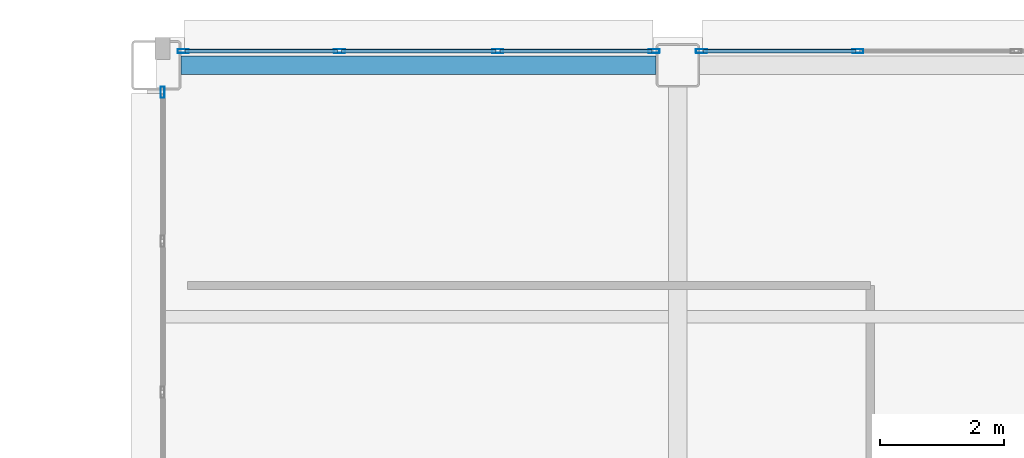
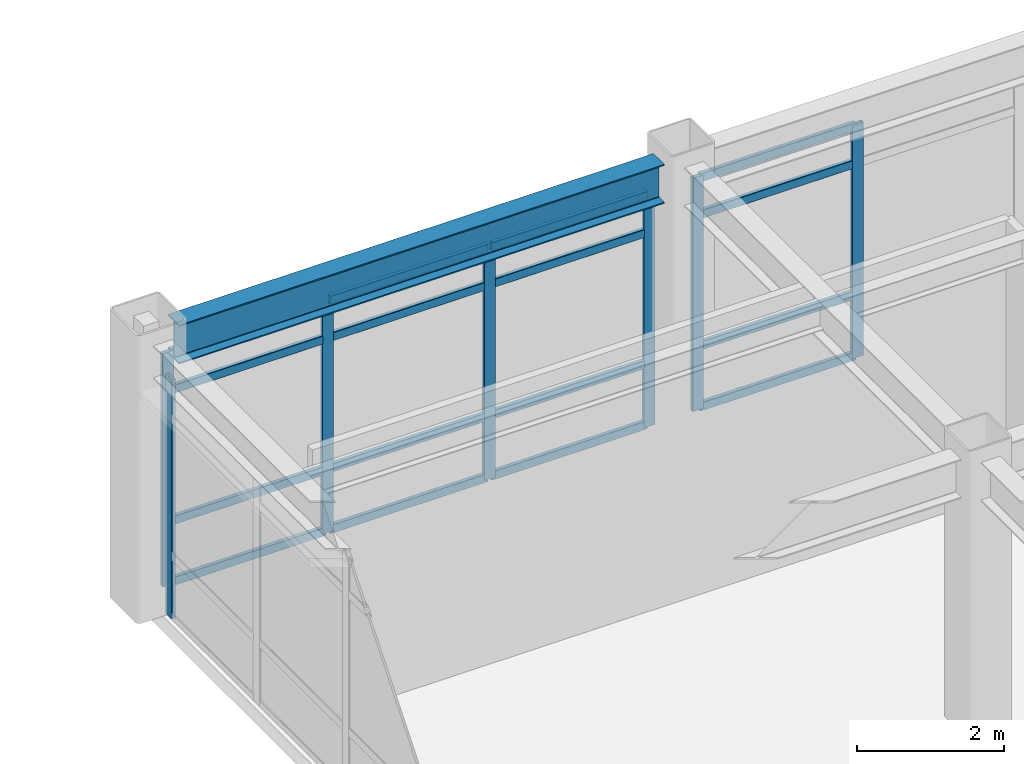
# One storey, part 110 of 154: 23 members, 1 beam, 3 elements without a shape of their own.
"""IFC4 building model written with IfcOpenShell, lengths in metres."""

from ifc_helpers import new_model, si_unit, direction, frame, origin, origin_2d, place, context, subcontext, project, spatial, hollow_rectangle, i_section, extrude, material, layer, layer_set, material_profile, profile_set, type_object, element, aggregate, save


model = new_model("IFC4")

# Units and contexts
model_context = context("Model", 3, precision=1e-05, world=origin(), true_north=direction((0.0, 1.0)))
body_context = subcontext(model_context, "Body", "Model", "MODEL_VIEW")
ifc_project = project(units=[si_unit("LENGTHUNIT", "METRE"), si_unit("AREAUNIT", "SQUARE_METRE"), si_unit("VOLUMEUNIT", "CUBIC_METRE"), si_unit("PLANEANGLEUNIT", "RADIAN"), si_unit("MASSUNIT", "GRAM", prefix="KILO")], contexts=[model_context])

# Site, building, storey
site_placement = place(None, origin())
site = spatial("IfcSite", under=ifc_project, at=site_placement, CompositionType="ELEMENT")
building_placement = place(site_placement, origin())
building = spatial("IfcBuilding", under=site, at=building_placement, Name="Kazehara Bluff Congress Hotel", CompositionType="ELEMENT")
storey_placement = place(building_placement, frame((0.0, 0.0, 10.199951171875)))
storey = spatial("IfcBuildingStorey", under=building, at=storey_placement, Name="L02", CompositionType="ELEMENT", Elevation=10.199951171875)

# Curtain wall, members
ifc_material_1 = material(Name="Anodised aluminium", Category="aluminium")
ifc_layer_1 = layer(ifc_material_1, 0.159912109375)
ifc_layer_set_1 = layer_set([ifc_layer_1], Name="Anodised aluminium")
curtain_wall_type_1 = type_object("IfcCurtainWallType", Name="TP-CW-22", PredefinedType="NOTDEFINED", material=ifc_layer_set_1)
curtain_wall_1_placement = place(storey_placement, origin())
curtain_wall_1 = element("IfcCurtainWall", 1, at=curtain_wall_1_placement, inside=storey, type_object=curtain_wall_type_1, Name="L02 curtain wall CW-22 CW-ENC-V5-L02-14793-11378", PredefinedType="NOTDEFINED")
ifc_material_2 = material(Name="Anodised aluminium", Category="aluminium")
ifc_material_profile_1 = material_profile(ifc_material_2, hollow_rectangle(XDim=0.06494140625, YDim=0.179931640625, WallThickness=0.00390625, InnerFilletRadius=0.00390625, OuterFilletRadius=0.008056640625, at=origin_2d()))
ifc_profile_set_1 = profile_set([ifc_material_profile_1], Name="Anodised aluminium")
member_type_1 = type_object("IfcMemberType", Name="TP-CWM-02", PredefinedType="MULLION", material=ifc_profile_set_1)
member_1_placement = place(storey_placement, frame((144.132568359375, 113.780029296875, 0.0), z_axis=(0.0, 0.0, 1.0), x_axis=(0.0, 1.0, 0.0)))
member_1 = element("IfcMember", 2, at=member_1_placement, type_object=member_type_1, Name="CW-22 mullion 1", PredefinedType="MULLION", context=body_context, shape_type="SweptSolid", body=[
    extrude(hollow_rectangle(XDim=0.06494140625, YDim=0.179931640625, WallThickness=0.00390625, InnerFilletRadius=0.00390625, OuterFilletRadius=0.008056640625, at=origin_2d()), origin(), (0.0, 0.0, 1.0), 3.885009765625),
])
member_2_placement = place(storey_placement, frame((146.64990234375, 113.780029296875, 0.0), z_axis=(0.0, 0.0, 1.0), x_axis=(0.0, 1.0, 0.0)))
member_2 = element("IfcMember", 3, at=member_2_placement, type_object=member_type_1, Name="CW-22 mullion 2", PredefinedType="MULLION", context=body_context, shape_type="SweptSolid", body=[
    extrude(hollow_rectangle(XDim=0.06494140625, YDim=0.179931640625, WallThickness=0.00390625, InnerFilletRadius=0.00390625, OuterFilletRadius=0.008056640625, at=origin_2d()), origin(), (0.0, 0.0, 1.0), 3.885009765625),
])
member_3_placement = place(storey_placement, frame((149.199951171875, 113.780029296875, 0.0), z_axis=(0.0, 0.0, 1.0), x_axis=(0.0, 1.0, 0.0)))
member_3 = element("IfcMember", 4, at=member_3_placement, type_object=member_type_1, Name="CW-22 mullion 3", PredefinedType="MULLION", context=body_context, shape_type="SweptSolid", body=[
    extrude(hollow_rectangle(XDim=0.06494140625, YDim=0.179931640625, WallThickness=0.00390625, InnerFilletRadius=0.00390625, OuterFilletRadius=0.008056640625, at=origin_2d()), origin(), (0.0, 0.0, 1.0), 3.885009765625),
])
member_4_placement = place(storey_placement, frame((151.717529296875, 113.780029296875, 0.0), z_axis=(0.0, 0.0, 1.0), x_axis=(0.0, 1.0, 0.0)))
member_4 = element("IfcMember", 5, at=member_4_placement, type_object=member_type_1, Name="CW-22 mullion 4", PredefinedType="MULLION", context=body_context, shape_type="SweptSolid", body=[
    extrude(hollow_rectangle(XDim=0.06494140625, YDim=0.179931640625, WallThickness=0.00390625, InnerFilletRadius=0.00390625, OuterFilletRadius=0.008056640625, at=origin_2d()), origin(), (0.0, 0.0, 1.0), 3.885009765625),
])

curtain_wall_2_placement = place(storey_placement, origin())
curtain_wall_2 = element("IfcCurtainWall", 6, at=curtain_wall_2_placement, inside=storey, type_object=curtain_wall_type_1, Name="L02 curtain wall CW-22 CW-ENC-V5-L02-15627-11378", PredefinedType="NOTDEFINED")
member_5_placement = place(storey_placement, frame((152.482421875, 113.780029296875, 0.0), z_axis=(0.0, 0.0, 1.0), x_axis=(0.0, 1.0, 0.0)))
member_5 = element("IfcMember", 7, at=member_5_placement, type_object=member_type_1, Name="CW-22 mullion 1", PredefinedType="MULLION", context=body_context, shape_type="SweptSolid", body=[
    extrude(hollow_rectangle(XDim=0.06494140625, YDim=0.179931640625, WallThickness=0.00390625, InnerFilletRadius=0.00390625, OuterFilletRadius=0.008056640625, at=origin_2d()), origin(), (0.0, 0.0, 1.0), 3.885009765625),
])
member_6_placement = place(storey_placement, frame((155.0, 113.780029296875, 0.0), z_axis=(0.0, 0.0, 1.0), x_axis=(0.0, 1.0, 0.0)))
member_6 = element("IfcMember", 8, at=member_6_placement, type_object=member_type_1, Name="CW-22 mullion 2", PredefinedType="MULLION", context=body_context, shape_type="SweptSolid", body=[
    extrude(hollow_rectangle(XDim=0.06494140625, YDim=0.179931640625, WallThickness=0.00390625, InnerFilletRadius=0.00390625, OuterFilletRadius=0.008056640625, at=origin_2d()), origin(), (0.0, 0.0, 1.0), 3.885009765625),
])

# Curtain wall, member
ifc_material_3 = material(Name="Anodised aluminium", Category="aluminium")
ifc_layer_2 = layer(ifc_material_3, 0.159912109375)
ifc_layer_set_2 = layer_set([ifc_layer_2], Name="Anodised aluminium")
curtain_wall_type_2 = type_object("IfcCurtainWallType", Name="TP-CW-124", PredefinedType="NOTDEFINED", material=ifc_layer_set_2)
curtain_wall_3_placement = place(storey_placement, origin())
curtain_wall_3 = element("IfcCurtainWall", 9, at=curtain_wall_3_placement, inside=storey, type_object=curtain_wall_type_2, Name="L02 curtain wall CW-124 CW-ENC-V5-L02-14380-10950", PredefinedType="NOTDEFINED")
member_7_placement = place(storey_placement, frame((143.800048828125, 113.117431640625, 0.0), z_axis=(0.0, 0.0, 1.0), x_axis=(-1.0, 0.0, 0.0)))
member_7 = element("IfcMember", 10, at=member_7_placement, type_object=member_type_1, Name="CW-124 mullion 4", PredefinedType="MULLION", context=body_context, shape_type="SweptSolid", body=[
    extrude(hollow_rectangle(XDim=0.06494140625, YDim=0.179931640625, WallThickness=0.00390625, InnerFilletRadius=0.00390625, OuterFilletRadius=0.008056640625, at=origin_2d()), origin(), (0.0, 0.0, 1.0), 3.985107421875),
])
aggregate(curtain_wall_3, [member_7])

# Member
ifc_material_4 = material(Name="Anodised aluminium", Category="aluminium")
ifc_material_profile_2 = material_profile(ifc_material_4, hollow_rectangle(XDim=0.06494140625, YDim=0.139892578125, WallThickness=0.00390625, InnerFilletRadius=0.00390625, OuterFilletRadius=0.008056640625, at=origin_2d()))
ifc_profile_set_2 = profile_set([ifc_material_profile_2], Name="Anodised aluminium")
member_type_2 = type_object("IfcMemberType", Name="TP-CWT-02", PredefinedType="USERDEFINED", material=ifc_profile_set_2)
member_8_placement = place(storey_placement, frame((144.1650390625, 113.780029296875, 0.032470703125), z_axis=(1.0, 0.0, 0.0), x_axis=(0.0, 1.0, 0.0)))
member_8 = element("IfcMember", 11, at=member_8_placement, type_object=member_type_2, Name="CW-22 transom 1.1", ObjectType="TRANSOM", PredefinedType="USERDEFINED", context=body_context, shape_type="SweptSolid", body=[
    extrude(hollow_rectangle(XDim=0.06494140625, YDim=0.139892578125, WallThickness=0.00390625, InnerFilletRadius=0.00390625, OuterFilletRadius=0.008056640625, at=origin_2d()), origin(), (0.0, 0.0, 1.0), 2.452392578125),
])

member_9_placement = place(storey_placement, frame((144.1650390625, 113.780029296875, 1.050048828125), z_axis=(1.0, 0.0, 0.0), x_axis=(0.0, 1.0, 0.0)))
member_9 = element("IfcMember", 12, at=member_9_placement, type_object=member_type_2, Name="CW-22 transom 1.2", ObjectType="TRANSOM", PredefinedType="USERDEFINED", context=body_context, shape_type="SweptSolid", body=[
    extrude(hollow_rectangle(XDim=0.06494140625, YDim=0.139892578125, WallThickness=0.00390625, InnerFilletRadius=0.00390625, OuterFilletRadius=0.008056640625, at=origin_2d()), origin(), (0.0, 0.0, 1.0), 2.452392578125),
])

member_10_placement = place(storey_placement, frame((144.1650390625, 113.780029296875, 3.235107421875), z_axis=(1.0, 0.0, 0.0), x_axis=(0.0, 1.0, 0.0)))
member_10 = element("IfcMember", 13, at=member_10_placement, type_object=member_type_2, Name="CW-22 transom 1.3", ObjectType="TRANSOM", PredefinedType="USERDEFINED", context=body_context, shape_type="SweptSolid", body=[
    extrude(hollow_rectangle(XDim=0.06494140625, YDim=0.139892578125, WallThickness=0.00390625, InnerFilletRadius=0.00390625, OuterFilletRadius=0.008056640625, at=origin_2d()), origin(), (0.0, 0.0, 1.0), 2.452392578125),
])

member_11_placement = place(storey_placement, frame((144.1650390625, 113.780029296875, 3.8525390625), z_axis=(1.0, 0.0, 0.0), x_axis=(0.0, 1.0, 0.0)))
member_11 = element("IfcMember", 14, at=member_11_placement, type_object=member_type_2, Name="CW-22 transom 1.4", ObjectType="TRANSOM", PredefinedType="USERDEFINED", context=body_context, shape_type="SweptSolid", body=[
    extrude(hollow_rectangle(XDim=0.06494140625, YDim=0.139892578125, WallThickness=0.00390625, InnerFilletRadius=0.00390625, OuterFilletRadius=0.008056640625, at=origin_2d()), origin(), (0.0, 0.0, 1.0), 2.452392578125),
])

member_12_placement = place(storey_placement, frame((146.6826171875, 113.780029296875, 0.032470703125), z_axis=(1.0, 0.0, 0.0), x_axis=(0.0, 1.0, 0.0)))
member_12 = element("IfcMember", 15, at=member_12_placement, type_object=member_type_2, Name="CW-22 transom 2.1", ObjectType="TRANSOM", PredefinedType="USERDEFINED", context=body_context, shape_type="SweptSolid", body=[
    extrude(hollow_rectangle(XDim=0.06494140625, YDim=0.139892578125, WallThickness=0.00390625, InnerFilletRadius=0.00390625, OuterFilletRadius=0.008056640625, at=origin_2d()), origin(), (0.0, 0.0, 1.0), 2.48486328125),
])

member_13_placement = place(storey_placement, frame((146.6826171875, 113.780029296875, 1.050048828125), z_axis=(1.0, 0.0, 0.0), x_axis=(0.0, 1.0, 0.0)))
member_13 = element("IfcMember", 16, at=member_13_placement, type_object=member_type_2, Name="CW-22 transom 2.2", ObjectType="TRANSOM", PredefinedType="USERDEFINED", context=body_context, shape_type="SweptSolid", body=[
    extrude(hollow_rectangle(XDim=0.06494140625, YDim=0.139892578125, WallThickness=0.00390625, InnerFilletRadius=0.00390625, OuterFilletRadius=0.008056640625, at=origin_2d()), origin(), (0.0, 0.0, 1.0), 2.48486328125),
])

member_14_placement = place(storey_placement, frame((146.6826171875, 113.780029296875, 3.235107421875), z_axis=(1.0, 0.0, 0.0), x_axis=(0.0, 1.0, 0.0)))
member_14 = element("IfcMember", 17, at=member_14_placement, type_object=member_type_2, Name="CW-22 transom 2.3", ObjectType="TRANSOM", PredefinedType="USERDEFINED", context=body_context, shape_type="SweptSolid", body=[
    extrude(hollow_rectangle(XDim=0.06494140625, YDim=0.139892578125, WallThickness=0.00390625, InnerFilletRadius=0.00390625, OuterFilletRadius=0.008056640625, at=origin_2d()), origin(), (0.0, 0.0, 1.0), 2.48486328125),
])

member_15_placement = place(storey_placement, frame((146.6826171875, 113.780029296875, 3.8525390625), z_axis=(1.0, 0.0, 0.0), x_axis=(0.0, 1.0, 0.0)))
member_15 = element("IfcMember", 18, at=member_15_placement, type_object=member_type_2, Name="CW-22 transom 2.4", ObjectType="TRANSOM", PredefinedType="USERDEFINED", context=body_context, shape_type="SweptSolid", body=[
    extrude(hollow_rectangle(XDim=0.06494140625, YDim=0.139892578125, WallThickness=0.00390625, InnerFilletRadius=0.00390625, OuterFilletRadius=0.008056640625, at=origin_2d()), origin(), (0.0, 0.0, 1.0), 2.48486328125),
])

member_16_placement = place(storey_placement, frame((149.232421875, 113.780029296875, 0.032470703125), z_axis=(1.0, 0.0, 0.0), x_axis=(0.0, 1.0, 0.0)))
member_16 = element("IfcMember", 19, at=member_16_placement, type_object=member_type_2, Name="CW-22 transom 3.1", ObjectType="TRANSOM", PredefinedType="USERDEFINED", context=body_context, shape_type="SweptSolid", body=[
    extrude(hollow_rectangle(XDim=0.06494140625, YDim=0.139892578125, WallThickness=0.00390625, InnerFilletRadius=0.00390625, OuterFilletRadius=0.008056640625, at=origin_2d()), origin(), (0.0, 0.0, 1.0), 2.45263671875),
])

member_17_placement = place(storey_placement, frame((149.232421875, 113.780029296875, 1.050048828125), z_axis=(1.0, 0.0, 0.0), x_axis=(0.0, 1.0, 0.0)))
member_17 = element("IfcMember", 20, at=member_17_placement, type_object=member_type_2, Name="CW-22 transom 3.2", ObjectType="TRANSOM", PredefinedType="USERDEFINED", context=body_context, shape_type="SweptSolid", body=[
    extrude(hollow_rectangle(XDim=0.06494140625, YDim=0.139892578125, WallThickness=0.00390625, InnerFilletRadius=0.00390625, OuterFilletRadius=0.008056640625, at=origin_2d()), origin(), (0.0, 0.0, 1.0), 2.45263671875),
])

member_18_placement = place(storey_placement, frame((149.232421875, 113.780029296875, 3.235107421875), z_axis=(1.0, 0.0, 0.0), x_axis=(0.0, 1.0, 0.0)))
member_18 = element("IfcMember", 21, at=member_18_placement, type_object=member_type_2, Name="CW-22 transom 3.3", ObjectType="TRANSOM", PredefinedType="USERDEFINED", context=body_context, shape_type="SweptSolid", body=[
    extrude(hollow_rectangle(XDim=0.06494140625, YDim=0.139892578125, WallThickness=0.00390625, InnerFilletRadius=0.00390625, OuterFilletRadius=0.008056640625, at=origin_2d()), origin(), (0.0, 0.0, 1.0), 2.45263671875),
])

member_19_placement = place(storey_placement, frame((149.232421875, 113.780029296875, 3.8525390625), z_axis=(1.0, 0.0, 0.0), x_axis=(0.0, 1.0, 0.0)))
member_19 = element("IfcMember", 22, at=member_19_placement, type_object=member_type_2, Name="CW-22 transom 3.4", ObjectType="TRANSOM", PredefinedType="USERDEFINED", context=body_context, shape_type="SweptSolid", body=[
    extrude(hollow_rectangle(XDim=0.06494140625, YDim=0.139892578125, WallThickness=0.00390625, InnerFilletRadius=0.00390625, OuterFilletRadius=0.008056640625, at=origin_2d()), origin(), (0.0, 0.0, 1.0), 2.45263671875),
])

aggregate(curtain_wall_1, [member_1, member_2, member_3, member_4, member_8, member_9, member_10, member_11, member_12, member_13, member_14, member_15, member_16, member_17, member_18, member_19])

member_20_placement = place(storey_placement, frame((152.514892578125, 113.780029296875, 0.032470703125), z_axis=(1.0, 0.0, 0.0), x_axis=(0.0, 1.0, 0.0)))
member_20 = element("IfcMember", 23, at=member_20_placement, type_object=member_type_2, Name="CW-22 transom 1.1", ObjectType="TRANSOM", PredefinedType="USERDEFINED", context=body_context, shape_type="SweptSolid", body=[
    extrude(hollow_rectangle(XDim=0.06494140625, YDim=0.139892578125, WallThickness=0.00390625, InnerFilletRadius=0.00390625, OuterFilletRadius=0.008056640625, at=origin_2d()), origin(), (0.0, 0.0, 1.0), 2.45263671875),
])

member_21_placement = place(storey_placement, frame((152.514892578125, 113.780029296875, 1.050048828125), z_axis=(1.0, 0.0, 0.0), x_axis=(0.0, 1.0, 0.0)))
member_21 = element("IfcMember", 24, at=member_21_placement, type_object=member_type_2, Name="CW-22 transom 1.2", ObjectType="TRANSOM", PredefinedType="USERDEFINED", context=body_context, shape_type="SweptSolid", body=[
    extrude(hollow_rectangle(XDim=0.06494140625, YDim=0.139892578125, WallThickness=0.00390625, InnerFilletRadius=0.00390625, OuterFilletRadius=0.008056640625, at=origin_2d()), origin(), (0.0, 0.0, 1.0), 2.45263671875),
])

member_22_placement = place(storey_placement, frame((152.514892578125, 113.780029296875, 3.235107421875), z_axis=(1.0, 0.0, 0.0), x_axis=(0.0, 1.0, 0.0)))
member_22 = element("IfcMember", 25, at=member_22_placement, type_object=member_type_2, Name="CW-22 transom 1.3", ObjectType="TRANSOM", PredefinedType="USERDEFINED", context=body_context, shape_type="SweptSolid", body=[
    extrude(hollow_rectangle(XDim=0.06494140625, YDim=0.139892578125, WallThickness=0.00390625, InnerFilletRadius=0.00390625, OuterFilletRadius=0.008056640625, at=origin_2d()), origin(), (0.0, 0.0, 1.0), 2.45263671875),
])

member_23_placement = place(storey_placement, frame((152.514892578125, 113.780029296875, 3.8525390625), z_axis=(1.0, 0.0, 0.0), x_axis=(0.0, 1.0, 0.0)))
member_23 = element("IfcMember", 26, at=member_23_placement, type_object=member_type_2, Name="CW-22 transom 1.4", ObjectType="TRANSOM", PredefinedType="USERDEFINED", context=body_context, shape_type="SweptSolid", body=[
    extrude(hollow_rectangle(XDim=0.06494140625, YDim=0.139892578125, WallThickness=0.00390625, InnerFilletRadius=0.00390625, OuterFilletRadius=0.008056640625, at=origin_2d()), origin(), (0.0, 0.0, 1.0), 2.45263671875),
])

aggregate(curtain_wall_2, [member_5, member_6, member_20, member_21, member_22, member_23])

# Beam
ifc_material_5 = material(Name="Steel SN490B", Category="steel")
ifc_material_profile_3 = material_profile(ifc_material_5, i_section(OverallWidth=0.300048828125, OverallDepth=0.64990234375, WebThickness=0.011962890625, FlangeThickness=0.02001953125, FilletRadius=0.012939453125, at=origin_2d()))
ifc_profile_set_3 = profile_set([ifc_material_profile_3], Name="Steel SN490B")
beam_type = type_object("IfcBeamType", Name="TP-G-03", PredefinedType="BEAM", material=ifc_profile_set_3)
beam_placement = place(storey_placement, frame((144.10009765625, 113.550048828125, 4.235107421875), z_axis=(1.0, 0.0, 0.0), x_axis=(0.0, 1.0, 0.0)))
element("IfcBeam", 27, at=beam_placement, inside=storey, type_object=beam_type, Name="L02 girder G-03 225", PredefinedType="BEAM", context=body_context, shape_type="SweptSolid", body=[
    extrude(i_section(OverallWidth=0.300048828125, OverallDepth=0.64990234375, WebThickness=0.011962890625, FlangeThickness=0.02001953125, FilletRadius=0.012939453125, at=origin_2d()), origin(), (0.0, 0.0, 1.0), 7.64990234375),
])

save(model, "model.ifc")
